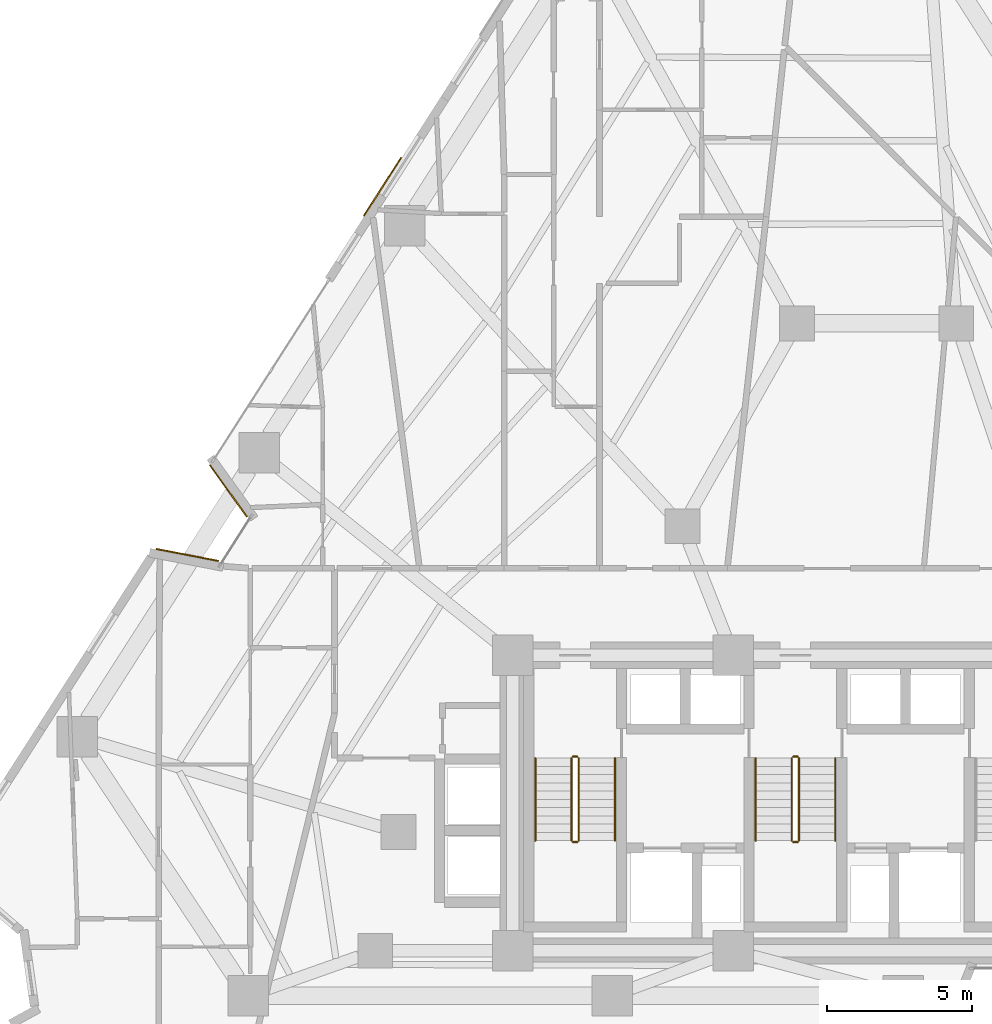
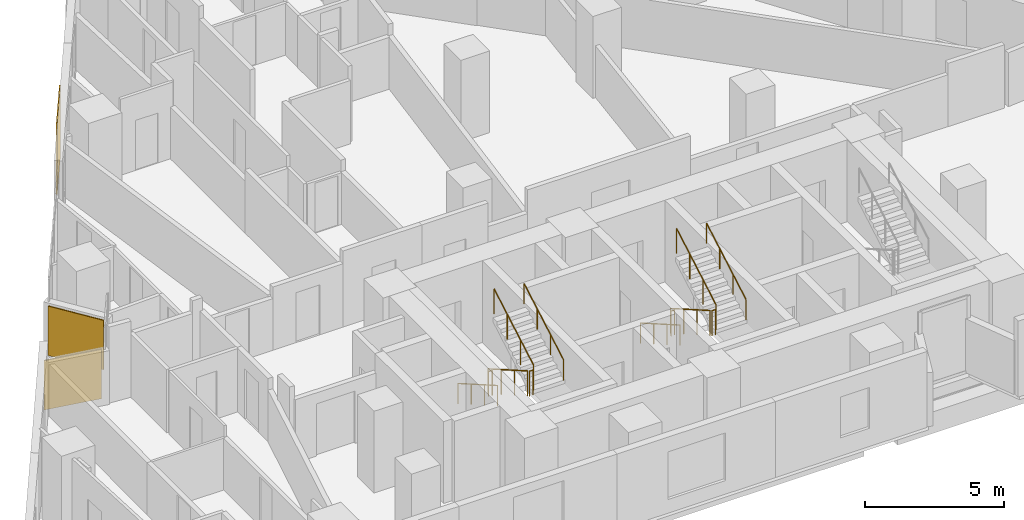
# One storey, part 11 of 13: 12 railings, 3 coverings.
"""IFC4 building model written with IfcOpenShell, lengths in metres."""

from ifc_helpers import new_model, si_unit, direction, frame, origin, origin_2d, place, context, subcontext, project, spatial, rectangle, circle, extrude, material, layer, layer_set, type_object, element, save


model = new_model("IFC4")

# Units and contexts
model_context = context("Model", 3, precision=1e-05, world=origin(), true_north=direction((0.0, 1.0)))
body_context = subcontext(model_context, "Body", "Model", "MODEL_VIEW")
ifc_project = project(units=[si_unit("LENGTHUNIT", "METRE"), si_unit("AREAUNIT", "SQUARE_METRE"), si_unit("VOLUMEUNIT", "CUBIC_METRE"), si_unit("PLANEANGLEUNIT", "RADIAN"), si_unit("MASSUNIT", "GRAM", prefix="KILO")], contexts=[model_context])

# Site, building, storey
site_placement = place(None, origin())
site = spatial("IfcSite", under=ifc_project, at=site_placement, CompositionType="ELEMENT")
building_placement = place(site_placement, origin())
building = spatial("IfcBuilding", under=site, at=building_placement, Name="Almagre Mirador Tower", CompositionType="ELEMENT")
storey_placement = place(building_placement, frame((0.0, 0.0, 42.60009765625)))
storey = spatial("IfcBuildingStorey", under=building, at=storey_placement, Name="L09", CompositionType="ELEMENT", Elevation=42.60009765625)

# Coverings
ifc_material_1 = material(Name="Almagre terracotta architectural cladding", Category="masonry")
ifc_layer = layer(ifc_material_1, 0.044921875)
ifc_layer_set = layer_set([ifc_layer], Name="Almagre terracotta architectural cladding")
covering_type = type_object("IfcCoveringType", Name="COV-CLAD-ALMAGRE", PredefinedType="CLADDING", material=ifc_layer_set)
covering_1_placement = place(storey_placement, frame((16.3173828125, 18.21044921875, 0.10009765625), z_axis=(0.0, 0.0, 1.0), x_axis=(0.981746878502, -0.190192183203, 0.0)))
element("IfcCovering", 1, at=covering_1_placement, inside=storey, type_object=covering_type, Name="L09 almagre terracotta pier cladding", PredefinedType="CLADDING", context=body_context, shape_type="SweptSolid", body=[
    extrude(rectangle(XDim=2.193115234375, YDim=0.044921875, at=origin_2d()), origin(), (0.0, 0.0, 1.0), 2.175048828125),
])
covering_2_placement = place(storey_placement, frame((17.7333984375, 20.42041015625, 0.10009765625), z_axis=(0.0, 0.0, 1.0), x_axis=(-0.583002488864, 0.812470367446, 0.0)))
element("IfcCovering", 2, at=covering_2_placement, inside=storey, type_object=covering_type, Name="L09 almagre terracotta pier cladding", PredefinedType="CLADDING", context=body_context, shape_type="SweptSolid", body=[
    extrude(rectangle(XDim=2.194091796875, YDim=0.044921875, at=origin_2d()), origin(), (0.0, 0.0, 1.0), 2.175048828125),
])
covering_3_placement = place(storey_placement, frame((23.052001953125, 30.914306640625, 0.099853515625), z_axis=(0.0, 0.0, 1.0), x_axis=(0.539520453445, 0.841972493799, 0.0)))
element("IfcCovering", 3, at=covering_3_placement, inside=storey, type_object=covering_type, Name="L09 almagre terracotta pier cladding", PredefinedType="CLADDING", context=body_context, shape_type="SweptSolid", body=[
    extrude(rectangle(XDim=2.39990234375, YDim=0.044921875, at=origin_2d()), origin(), (0.0, 0.0, 1.0), 3.14990234375),
])

# Railings
ifc_material_2 = material(Name="Painted galvanized steel", Category="steel")
railing_type_1 = type_object("IfcRailingType", Name="RLG-GRD-1100", PredefinedType="GUARDRAIL", material=ifc_material_2)
railing_1_placement = place(storey_placement, frame((29.574951171875, 11.199951171875, 0.16357421875)))
element("IfcRailing", 4, at=railing_1_placement, inside=storey, type_object=railing_type_1, Name="L09 ST-1 stair guard 1", PredefinedType="GUARDRAIL", context=body_context, shape_type="SweptSolid", body=[
    extrude(circle(Radius=0.02392578125, at=origin_2d()), frame((0.0, 0.0, 1.09619140625), z_axis=(0.0, -0.867226363773, 0.497914082927), x_axis=(1.0, 0.0, 0.0)), (0.0, 0.0, 1.0), 3.2861328125),
    extrude(circle(Radius=0.02099609375, at=origin_2d()), origin(), (0.0, 0.0, 1.0), 1.072021484375),
    extrude(circle(Radius=0.02099609375, at=origin_2d()), frame((0.0, -0.949951171875, 0.54541015625)), (0.0, 0.0, 1.0), 1.072021484375),
    extrude(circle(Radius=0.02099609375, at=origin_2d()), frame((0.0, -1.89990234375, 1.0908203125)), (0.0, 0.0, 1.0), 1.072021484375),
    extrude(circle(Radius=0.02099609375, at=origin_2d()), frame((0.0, -2.849853515625, 1.63623046875)), (0.0, 0.0, 1.0), 1.072021484375),
])
railing_2_placement = place(storey_placement, frame((29.625, 8.300048828125, 1.7998046875)))
element("IfcRailing", 5, at=railing_2_placement, inside=storey, type_object=railing_type_1, Name="L09 ST-1 stair guard 2", PredefinedType="GUARDRAIL", context=body_context, shape_type="SweptSolid", body=[
    extrude(circle(Radius=0.02392578125, at=origin_2d()), frame((0.0, 0.0, 1.09619140625), z_axis=(1.0, 0.0, 0.0), x_axis=(0.0, 1.0, 0.0)), (0.0, 0.0, 1.0), 0.14990234375),
    extrude(circle(Radius=0.02099609375, at=origin_2d()), origin(), (0.0, 0.0, 1.0), 1.072021484375),
    extrude(circle(Radius=0.02099609375, at=origin_2d()), frame((0.14990234375, 0.0, 0.0)), (0.0, 0.0, 1.0), 1.072021484375),
])
railing_3_placement = place(storey_placement, frame((29.824951171875, 8.35009765625, 1.963623046875)))
element("IfcRailing", 6, at=railing_3_placement, inside=storey, type_object=railing_type_1, Name="L09 ST-1 stair guard 3", PredefinedType="GUARDRAIL", context=body_context, shape_type="SweptSolid", body=[
    extrude(circle(Radius=0.02392578125, at=origin_2d()), frame((0.0, 0.0, 1.09619140625), z_axis=(0.0, 0.867226363773, 0.497914082927), x_axis=(-1.0, 0.0, 0.0)), (0.0, 0.0, 1.0), 3.2861328125),
    extrude(circle(Radius=0.02099609375, at=origin_2d()), origin(), (0.0, 0.0, 1.0), 1.072021484375),
    extrude(circle(Radius=0.02099609375, at=origin_2d()), frame((0.0, 0.949951171875, 0.54541015625)), (0.0, 0.0, 1.0), 1.072021484375),
    extrude(circle(Radius=0.02099609375, at=origin_2d()), frame((0.0, 1.89990234375, 1.0908203125)), (0.0, 0.0, 1.0), 1.072021484375),
    extrude(circle(Radius=0.02099609375, at=origin_2d()), frame((0.0, 2.849853515625, 1.63623046875)), (0.0, 0.0, 1.0), 1.072021484375),
])
railing_4_placement = place(storey_placement, frame((29.625, 11.25, 0.0)))
element("IfcRailing", 7, at=railing_4_placement, inside=storey, type_object=railing_type_1, Name="L09 ST-1 stair guard 4", PredefinedType="GUARDRAIL", context=body_context, shape_type="SweptSolid", body=[
    extrude(circle(Radius=0.02392578125, at=origin_2d()), frame((0.0, 0.0, 1.09619140625), z_axis=(1.0, 0.0, 0.0), x_axis=(0.0, 1.0, 0.0)), (0.0, 0.0, 1.0), 0.14990234375),
    extrude(circle(Radius=0.02099609375, at=origin_2d()), origin(), (0.0, 0.0, 1.0), 1.072021484375),
    extrude(circle(Radius=0.02099609375, at=origin_2d()), frame((0.14990234375, 0.0, 0.0)), (0.0, 0.0, 1.0), 1.072021484375),
])
railing_5_placement = place(storey_placement, frame((37.175048828125, 11.199951171875, 0.16357421875)))
element("IfcRailing", 8, at=railing_5_placement, inside=storey, type_object=railing_type_1, Name="L09 ST-2 stair guard 1", PredefinedType="GUARDRAIL", context=body_context, shape_type="SweptSolid", body=[
    extrude(circle(Radius=0.02392578125, at=origin_2d()), frame((0.0, 0.0, 1.09619140625), z_axis=(0.0, -0.867226363773, 0.497914082927), x_axis=(1.0, 0.0, 0.0)), (0.0, 0.0, 1.0), 3.2861328125),
    extrude(circle(Radius=0.02099609375, at=origin_2d()), origin(), (0.0, 0.0, 1.0), 1.072021484375),
    extrude(circle(Radius=0.02099609375, at=origin_2d()), frame((0.0, -0.949951171875, 0.54541015625)), (0.0, 0.0, 1.0), 1.072021484375),
    extrude(circle(Radius=0.02099609375, at=origin_2d()), frame((0.0, -1.89990234375, 1.0908203125)), (0.0, 0.0, 1.0), 1.072021484375),
    extrude(circle(Radius=0.02099609375, at=origin_2d()), frame((0.0, -2.849853515625, 1.63623046875)), (0.0, 0.0, 1.0), 1.072021484375),
])
railing_6_placement = place(storey_placement, frame((37.22509765625, 8.300048828125, 1.7998046875)))
element("IfcRailing", 9, at=railing_6_placement, inside=storey, type_object=railing_type_1, Name="L09 ST-2 stair guard 2", PredefinedType="GUARDRAIL", context=body_context, shape_type="SweptSolid", body=[
    extrude(circle(Radius=0.02392578125, at=origin_2d()), frame((0.0, 0.0, 1.09619140625), z_axis=(1.0, 0.0, 0.0), x_axis=(0.0, 1.0, 0.0)), (0.0, 0.0, 1.0), 0.14990234375),
    extrude(circle(Radius=0.02099609375, at=origin_2d()), origin(), (0.0, 0.0, 1.0), 1.072021484375),
    extrude(circle(Radius=0.02099609375, at=origin_2d()), frame((0.14990234375, 0.0, 0.0)), (0.0, 0.0, 1.0), 1.072021484375),
])
railing_7_placement = place(storey_placement, frame((37.425048828125, 8.35009765625, 1.963623046875)))
element("IfcRailing", 10, at=railing_7_placement, inside=storey, type_object=railing_type_1, Name="L09 ST-2 stair guard 3", PredefinedType="GUARDRAIL", context=body_context, shape_type="SweptSolid", body=[
    extrude(circle(Radius=0.02392578125, at=origin_2d()), frame((0.0, 0.0, 1.09619140625), z_axis=(0.0, 0.867226363773, 0.497914082927), x_axis=(-1.0, 0.0, 0.0)), (0.0, 0.0, 1.0), 3.2861328125),
    extrude(circle(Radius=0.02099609375, at=origin_2d()), origin(), (0.0, 0.0, 1.0), 1.072021484375),
    extrude(circle(Radius=0.02099609375, at=origin_2d()), frame((0.0, 0.949951171875, 0.54541015625)), (0.0, 0.0, 1.0), 1.072021484375),
    extrude(circle(Radius=0.02099609375, at=origin_2d()), frame((0.0, 1.89990234375, 1.0908203125)), (0.0, 0.0, 1.0), 1.072021484375),
    extrude(circle(Radius=0.02099609375, at=origin_2d()), frame((0.0, 2.849853515625, 1.63623046875)), (0.0, 0.0, 1.0), 1.072021484375),
])
railing_8_placement = place(storey_placement, frame((37.22509765625, 11.25, 0.0)))
element("IfcRailing", 11, at=railing_8_placement, inside=storey, type_object=railing_type_1, Name="L09 ST-2 stair guard 4", PredefinedType="GUARDRAIL", context=body_context, shape_type="SweptSolid", body=[
    extrude(circle(Radius=0.02392578125, at=origin_2d()), frame((0.0, 0.0, 1.09619140625), z_axis=(1.0, 0.0, 0.0), x_axis=(0.0, 1.0, 0.0)), (0.0, 0.0, 1.0), 0.14990234375),
    extrude(circle(Radius=0.02099609375, at=origin_2d()), origin(), (0.0, 0.0, 1.0), 1.072021484375),
    extrude(circle(Radius=0.02099609375, at=origin_2d()), frame((0.14990234375, 0.0, 0.0)), (0.0, 0.0, 1.0), 1.072021484375),
])
ifc_material_3 = material(Name="Brushed stainless steel", Category="steel")
railing_type_2 = type_object("IfcRailingType", Name="RLG-HND-915", PredefinedType="HANDRAIL", material=ifc_material_3)
railing_9_placement = place(storey_placement, frame((28.324951171875, 11.199951171875, 0.16357421875)))
element("IfcRailing", 12, at=railing_9_placement, inside=storey, type_object=railing_type_2, Name="L09 ST-1 stair handrail 1", PredefinedType="HANDRAIL", context=body_context, shape_type="SweptSolid", body=[
    extrude(circle(Radius=0.02392578125, at=origin_2d()), frame((0.0, 0.0, 0.89111328125), z_axis=(0.0, -0.867226363773, 0.497914082927), x_axis=(1.0, 0.0, 0.0)), (0.0, 0.0, 1.0), 3.2861328125),
    extrude(circle(Radius=0.02099609375, at=origin_2d()), origin(), (0.0, 0.0, 1.0), 0.866943359375),
    extrude(circle(Radius=0.02099609375, at=origin_2d()), frame((0.0, -0.949951171875, 0.54541015625)), (0.0, 0.0, 1.0), 0.866943359375),
    extrude(circle(Radius=0.02099609375, at=origin_2d()), frame((0.0, -1.89990234375, 1.0908203125)), (0.0, 0.0, 1.0), 0.866943359375),
    extrude(circle(Radius=0.02099609375, at=origin_2d()), frame((0.0, -2.849853515625, 1.63623046875)), (0.0, 0.0, 1.0), 0.866943359375),
])
railing_10_placement = place(storey_placement, frame((31.074951171875, 8.35009765625, 1.963623046875)))
element("IfcRailing", 13, at=railing_10_placement, inside=storey, type_object=railing_type_2, Name="L09 ST-1 stair handrail 2", PredefinedType="HANDRAIL", context=body_context, shape_type="SweptSolid", body=[
    extrude(circle(Radius=0.02392578125, at=origin_2d()), frame((0.0, 0.0, 0.89111328125), z_axis=(0.0, 0.867226363773, 0.497914082927), x_axis=(-1.0, 0.0, 0.0)), (0.0, 0.0, 1.0), 3.2861328125),
    extrude(circle(Radius=0.02099609375, at=origin_2d()), origin(), (0.0, 0.0, 1.0), 0.866943359375),
    extrude(circle(Radius=0.02099609375, at=origin_2d()), frame((0.0, 0.949951171875, 0.54541015625)), (0.0, 0.0, 1.0), 0.866943359375),
    extrude(circle(Radius=0.02099609375, at=origin_2d()), frame((0.0, 1.89990234375, 1.0908203125)), (0.0, 0.0, 1.0), 0.866943359375),
    extrude(circle(Radius=0.02099609375, at=origin_2d()), frame((0.0, 2.849853515625, 1.63623046875)), (0.0, 0.0, 1.0), 0.866943359375),
])
railing_11_placement = place(storey_placement, frame((35.925048828125, 11.199951171875, 0.16357421875)))
element("IfcRailing", 14, at=railing_11_placement, inside=storey, type_object=railing_type_2, Name="L09 ST-2 stair handrail 1", PredefinedType="HANDRAIL", context=body_context, shape_type="SweptSolid", body=[
    extrude(circle(Radius=0.02392578125, at=origin_2d()), frame((0.0, 0.0, 0.89111328125), z_axis=(0.0, -0.867226363773, 0.497914082927), x_axis=(1.0, 0.0, 0.0)), (0.0, 0.0, 1.0), 3.2861328125),
    extrude(circle(Radius=0.02099609375, at=origin_2d()), origin(), (0.0, 0.0, 1.0), 0.866943359375),
    extrude(circle(Radius=0.02099609375, at=origin_2d()), frame((0.0, -0.949951171875, 0.54541015625)), (0.0, 0.0, 1.0), 0.866943359375),
    extrude(circle(Radius=0.02099609375, at=origin_2d()), frame((0.0, -1.89990234375, 1.0908203125)), (0.0, 0.0, 1.0), 0.866943359375),
    extrude(circle(Radius=0.02099609375, at=origin_2d()), frame((0.0, -2.849853515625, 1.63623046875)), (0.0, 0.0, 1.0), 0.866943359375),
])
railing_12_placement = place(storey_placement, frame((38.675048828125, 8.35009765625, 1.963623046875)))
element("IfcRailing", 15, at=railing_12_placement, inside=storey, type_object=railing_type_2, Name="L09 ST-2 stair handrail 2", PredefinedType="HANDRAIL", context=body_context, shape_type="SweptSolid", body=[
    extrude(circle(Radius=0.02392578125, at=origin_2d()), frame((0.0, 0.0, 0.89111328125), z_axis=(0.0, 0.867226363773, 0.497914082927), x_axis=(-1.0, 0.0, 0.0)), (0.0, 0.0, 1.0), 3.2861328125),
    extrude(circle(Radius=0.02099609375, at=origin_2d()), origin(), (0.0, 0.0, 1.0), 0.866943359375),
    extrude(circle(Radius=0.02099609375, at=origin_2d()), frame((0.0, 0.949951171875, 0.54541015625)), (0.0, 0.0, 1.0), 0.866943359375),
    extrude(circle(Radius=0.02099609375, at=origin_2d()), frame((0.0, 1.89990234375, 1.0908203125)), (0.0, 0.0, 1.0), 0.866943359375),
    extrude(circle(Radius=0.02099609375, at=origin_2d()), frame((0.0, 2.849853515625, 1.63623046875)), (0.0, 0.0, 1.0), 0.866943359375),
])

save(model, "model.ifc")
